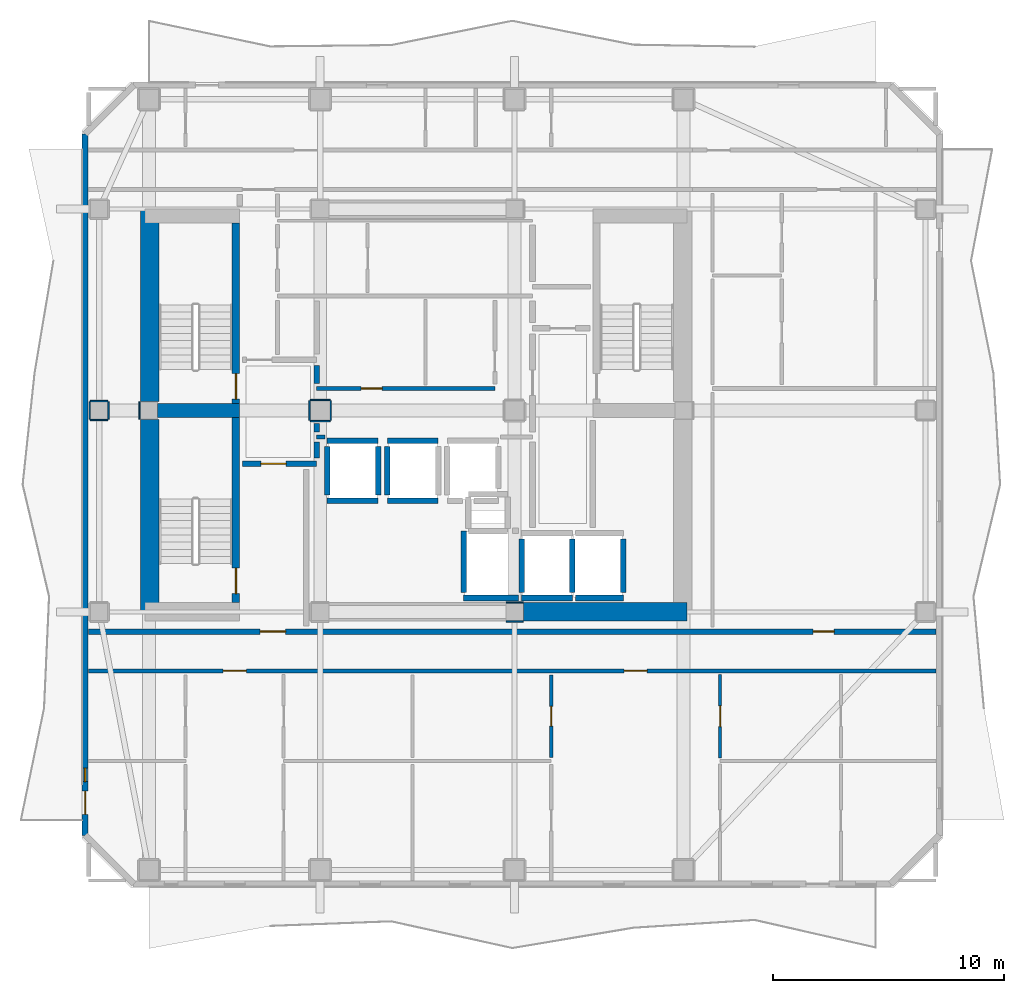
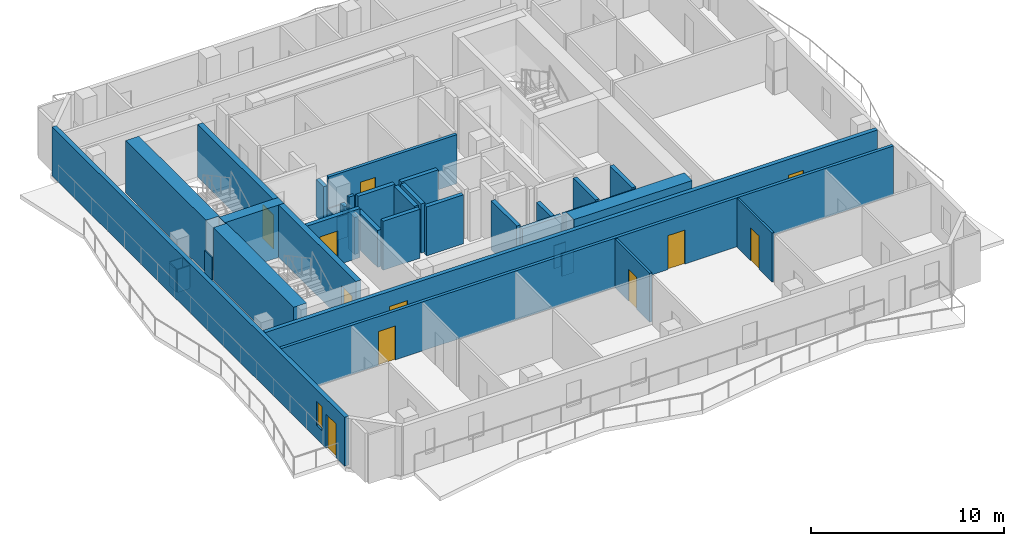
# One storey, part 3 of 9: 42 walls, 11 doors, 1 window, 12 openings.
"""IFC4 building model written with IfcOpenShell, lengths in metres."""

from ifc_helpers import new_model, si_unit, direction, frame, frame_2d, origin, place, context, subcontext, project, spatial, rectangle, extrude, material, layer, layer_set, type_object, element, fill, save


model = new_model("IFC4")

# Units and contexts
model_context = context("Model", 3, precision=1e-05, world=origin(), true_north=direction((0.0, 1.0)))
body_context = subcontext(model_context, "Body", "Model", "MODEL_VIEW")
ifc_project = project(units=[si_unit("LENGTHUNIT", "METRE"), si_unit("AREAUNIT", "SQUARE_METRE"), si_unit("VOLUMEUNIT", "CUBIC_METRE"), si_unit("PLANEANGLEUNIT", "RADIAN"), si_unit("MASSUNIT", "GRAM", prefix="KILO")], contexts=[model_context])

# Site, building, storey
site_placement = place(None, origin())
site = spatial("IfcSite", under=ifc_project, at=site_placement, CompositionType="ELEMENT")
building_placement = place(site_placement, origin())
building = spatial("IfcBuilding", under=site, at=building_placement, Name="Solanera Arch Residences", CompositionType="ELEMENT")
storey_placement = place(building_placement, frame((0.0, 0.0, 220.0400390625)))
storey = spatial("IfcBuildingStorey", under=building, at=storey_placement, Name="L64", CompositionType="ELEMENT", Elevation=220.0400390625)

# Walls
ifc_material_1 = material(Name="Fire-Rated Gypsum Stud Partition", Category="gypsum")
ifc_layer_1 = layer(ifc_material_1, 0.06005859375)
ifc_layer_set_1 = layer_set([ifc_layer_1], Name="Fire-Rated Gypsum Stud Partition")
wall_type_1 = type_object("IfcWallType", Name="Column Acoustic Furring Wall 60", PredefinedType="PARTITIONING", material=ifc_layer_set_1)
for number, where, z_axis, x_axis, name in (
    (1, (28.8330078125, 21.593017578125, 0.0), (0.0, 0.0, 1.0), (1.0, 0.0, 0.0), "L64 Column Furring 2S"),
    (2, (28.8330078125, 22.406982421875, 0.0), (0.0, 0.0, 1.0), (1.0, 0.0, 0.0), "L64 Column Furring 2N"),
):
    element("IfcWall", number, at=place(storey_placement, frame(where, z_axis=z_axis, x_axis=x_axis)), inside=storey, type_object=wall_type_1, Name=name, PredefinedType="PARTITIONING", context=body_context, shape_type="SweptSolid", body=[
        extrude(rectangle(XDim=0.73388671875, YDim=0.06005859375, at=frame_2d((0.366943359375, 0.0))), origin(), (0.0, 0.0, 1.0), 1.449951171875),
    ])
wall_1_placement = place(storey_placement, frame((12.992919921875, 30.324951171875, 0.0), z_axis=(0.0, 0.0, 1.0), x_axis=(0.0, 1.0, 0.0)))
element("IfcWall", 3, at=wall_1_placement, inside=storey, type_object=wall_type_1, Name="L64 Column Furring 5W", PredefinedType="PARTITIONING", context=body_context, shape_type="SweptSolid", body=[
    extrude(rectangle(XDim=0.75, YDim=0.06005859375, at=frame_2d((0.375, 0.0))), origin(), (0.0, 0.0, 1.0), 1.449951171875),
])
for number, where, z_axis, x_axis, name in (
    (4, (20.375, 30.242919921875, 0.0), (0.0, 0.0, 1.0), (1.0, 0.0, 0.0), "L64 Column Furring 7S"),
    (5, (20.375, 31.156982421875, 0.0), (0.0, 0.0, 1.0), (1.0, 0.0, 0.0), "L64 Column Furring 7N"),
    (6, (20.343017578125, 30.27490234375, 0.0), (0.0, 0.0, 1.0), (0.0, 1.0, 0.0), "L64 Column Furring 7W"),
    (7, (21.257080078125, 30.27490234375, 0.0), (0.0, 0.0, 1.0), (0.0, 1.0, 0.0), "L64 Column Furring 7E"),
):
    element("IfcWall", number, at=place(storey_placement, frame(where, z_axis=z_axis, x_axis=x_axis)), inside=storey, type_object=wall_type_1, Name=name, PredefinedType="PARTITIONING", context=body_context, shape_type="SweptSolid", body=[
        extrude(rectangle(XDim=0.85009765625, YDim=0.06005859375, at=frame_2d((0.425048828125, 0.0))), origin(), (0.0, 0.0, 1.0), 1.449951171875),
    ])
for number, where, z_axis, x_axis, name in (
    (8, (10.875, 30.29296875, 0.0), (0.0, 0.0, 1.0), (1.0, 0.0, 0.0), "L64 Column Furring 19S"),
    (9, (10.875, 31.10693359375, 0.0), (0.0, 0.0, 1.0), (1.0, 0.0, 0.0), "L64 Column Furring 19N"),
    (10, (10.843017578125, 30.324951171875, 0.0), (0.0, 0.0, 1.0), (0.0, 1.0, 0.0), "L64 Column Furring 19W"),
    (11, (11.656982421875, 30.324951171875, 0.0), (0.0, 0.0, 1.0), (0.0, 1.0, 0.0), "L64 Column Furring 19E"),
):
    element("IfcWall", number, at=place(storey_placement, frame(where, z_axis=z_axis, x_axis=x_axis)), inside=storey, type_object=wall_type_1, Name=name, PredefinedType="PARTITIONING", context=body_context, shape_type="SweptSolid", body=[
        extrude(rectangle(XDim=0.75, YDim=0.06005859375, at=frame_2d((0.375, 0.0))), origin(), (0.0, 0.0, 1.0), 1.449951171875),
    ])

# Wall, opening, door
ifc_material_2 = material(Name="Concrete C40/50 (f'c = 45 MPa)", Category="concrete")
ifc_layer_2 = layer(ifc_material_2, 0.320068359375)
ifc_layer_set_2 = layer_set([ifc_layer_2], Name="Concrete C40/50 (f'c = 45 MPa)")
wall_type_2 = type_object("IfcWallType", Name="Core Shear Wall CW-320", PredefinedType="SHEAR", material=ifc_layer_set_2)
wall_2_placement = place(storey_placement, frame((17.159912109375, 31.0, 0.0), z_axis=(0.0, 0.0, 1.0), x_axis=(0.0, 1.0, 0.0)))
wall_2 = element("IfcWall", 12, at=wall_2_placement, inside=storey, type_object=wall_type_2, Name="L64 Stair ST-T1 East Shear Wall", PredefinedType="SHEAR", context=body_context, shape_type="SweptSolid", body=[
    extrude(rectangle(XDim=7.800048828125, YDim=0.320068359375, at=frame_2d((3.89990234375, 0.0))), origin(), (0.0, 0.0, 1.0), 3.320068359375),
])
opening_1_placement = place(wall_2_placement, frame((0.18994140625, 0.0, 0.0)))
opening_1 = element("IfcOpeningElement", 13, at=opening_1_placement, cuts=wall_2, Name="Opening DF-01", PredefinedType="OPENING", context=body_context, shape_type="SweptSolid", body=[
    extrude(rectangle(XDim=1.10009765625, YDim=2.14990234375, at=frame_2d((0.550048828125, 1.074951171875))), frame((0.0, 0.169921875, 0.0), z_axis=(0.0, -1.0, 0.0), x_axis=(1.0, 0.0, 0.0)), (0.0, 0.0, 1.0), 0.3401),
])
ifc_material_3 = material(Name="Fire-Rated Architectural Hardwood", Category="wood")
door_type_1 = type_object("IfcDoorType", Name="Stair Exit Fire Door DF-01", OperationType="NOTDEFINED", PredefinedType="DOOR", material=ifc_material_3)
door_1_placement = place(opening_1_placement, origin())
door_1 = element("IfcDoor", 14, at=door_1_placement, inside=storey, type_object=door_type_1, Name="DR-L64-STAIR-ST-T1", OperationType="SINGLE_SWING_RIGHT", OverallHeight=2.14990234375, OverallWidth=1.10009765625, PredefinedType="DOOR", context=body_context, shape_type="SweptSolid", body=[
    extrude(rectangle(XDim=1.10009765625, YDim=2.14990234375, at=frame_2d((0.550048828125, 1.074951171875))), frame((0.0, 0.02490234375, 0.0), z_axis=(0.0, -1.0, 0.0), x_axis=(1.0, 0.0, 0.0)), (0.0, 0.0, 1.0), 0.050048828125),
])
fill(opening_1, door_1)

wall_3_placement = place(storey_placement, frame((17.159912109375, 22.39990234375, 0.0), z_axis=(0.0, 0.0, 1.0), x_axis=(0.0, 1.0, 0.0)))
wall_3 = element("IfcWall", 15, at=wall_3_placement, inside=storey, type_object=wall_type_2, Name="L64 Stair ST-T3 East Shear Wall", PredefinedType="SHEAR", context=body_context, shape_type="SweptSolid", body=[
    extrude(rectangle(XDim=8.0, YDim=0.320068359375, at=frame_2d((4.0, 0.0))), origin(), (0.0, 0.0, 1.0), 3.320068359375),
])
opening_2_placement = place(wall_3_placement, frame((0.389892578125, 0.0, 0.0)))
opening_2 = element("IfcOpeningElement", 16, at=opening_2_placement, cuts=wall_3, Name="Opening DF-01", PredefinedType="OPENING", context=body_context, shape_type="SweptSolid", body=[
    extrude(rectangle(XDim=1.10009765625, YDim=2.14990234375, at=frame_2d((0.550048828125, 1.074951171875))), frame((0.0, 0.169921875, 0.0), z_axis=(0.0, -1.0, 0.0), x_axis=(1.0, 0.0, 0.0)), (0.0, 0.0, 1.0), 0.3401),
])
door_2_placement = place(opening_2_placement, origin())
door_2 = element("IfcDoor", 17, at=door_2_placement, inside=storey, type_object=door_type_1, Name="DR-L64-STAIR-ST-T3", OperationType="SINGLE_SWING_RIGHT", OverallHeight=2.14990234375, OverallWidth=1.10009765625, PredefinedType="DOOR", context=body_context, shape_type="SweptSolid", body=[
    extrude(rectangle(XDim=1.10009765625, YDim=2.14990234375, at=frame_2d((0.550048828125, 1.074951171875))), frame((0.0, 0.02490234375, 0.0), z_axis=(0.0, -1.0, 0.0), x_axis=(1.0, 0.0, 0.0)), (0.0, 0.0, 1.0), 0.050048828125),
])
fill(opening_2, door_2)

# Walls
ifc_material_4 = material(Name="Concrete C40/50 (f'c = 45 MPa)", Category="concrete")
ifc_layer_3 = layer(ifc_material_4, 0.60009765625)
ifc_layer_set_3 = layer_set([ifc_layer_3], Name="Concrete C40/50 (f'c = 45 MPa)")
wall_type_3 = type_object("IfcWallType", Name="Core Shear Wall CW-600", PredefinedType="SHEAR", material=ifc_layer_set_3)
wall_4_placement = place(storey_placement, frame((13.780029296875, 30.699951171875, 0.0), z_axis=(0.0, 0.0, 1.0), x_axis=(1.0, 0.0, 0.0)))
element("IfcWall", 18, at=wall_4_placement, inside=storey, type_object=wall_type_3, Name="L64 West Stair Divider Shear Wall", PredefinedType="SHEAR", context=body_context, shape_type="SweptSolid", body=[
    extrude(rectangle(XDim=3.5400390625, YDim=0.60009765625, at=frame_2d((1.77001953125, 0.0))), origin(), (0.0, 0.0, 1.0), 3.320068359375),
])
ifc_material_5 = material(Name="Concrete C40/50 (f'c = 45 MPa)", Category="concrete")
ifc_layer_4 = layer(ifc_material_5, 0.800048828125)
ifc_layer_set_4 = layer_set([ifc_layer_4], Name="Concrete C40/50 (f'c = 45 MPa)")
wall_type_4 = type_object("IfcWallType", Name="Core Shear Wall CW-800", PredefinedType="SHEAR", material=ifc_layer_set_4)
wall_5_placement = place(storey_placement, frame((13.43994140625, 22.0, 0.0), z_axis=(0.0, 0.0, 1.0), x_axis=(0.0, 1.0, 0.0)))
element("IfcWall", 19, at=wall_5_placement, inside=storey, type_object=wall_type_4, Name="L64 West Core South Shear Wall", PredefinedType="SHEAR", context=body_context, shape_type="SweptSolid", body=[
    extrude(rectangle(XDim=8.320068359375, YDim=0.800048828125, at=frame_2d((4.16015625, 0.0))), origin(), (0.0, 0.0, 1.0), 3.320068359375),
])
wall_6_placement = place(storey_placement, frame((13.43994140625, 31.080078125, 0.0), z_axis=(0.0, 0.0, 1.0), x_axis=(0.0, 1.0, 0.0)))
element("IfcWall", 20, at=wall_6_placement, inside=storey, type_object=wall_type_4, Name="L64 West Core North Shear Wall", PredefinedType="SHEAR", context=body_context, shape_type="SweptSolid", body=[
    extrude(rectangle(XDim=8.31982421875, YDim=0.800048828125, at=frame_2d((4.159912109375, 0.0))), origin(), (0.0, 0.0, 1.0), 3.320068359375),
])
wall_7_placement = place(storey_placement, frame((29.580078125, 22.0, 0.0), z_axis=(0.0, 0.0, 1.0), x_axis=(1.0, 0.0, 0.0)))
element("IfcWall", 21, at=wall_7_placement, inside=storey, type_object=wall_type_4, Name="L64 South-East Core Shear Wall", PredefinedType="SHEAR", context=body_context, shape_type="SweptSolid", body=[
    extrude(rectangle(XDim=7.079833984375, YDim=0.800048828125, at=frame_2d((3.5400390625, 0.0))), origin(), (0.0, 0.0, 1.0), 3.320068359375),
])

# Wall, openings, doors
ifc_material_6 = material(Name="Autoclaved Aerated Concrete Blockwork", Category="masonry")
ifc_layer_5 = layer(ifc_material_6, 0.179931640625)
ifc_layer_set_5 = layer_set([ifc_layer_5], Name="Autoclaved Aerated Concrete Blockwork")
wall_type_5 = type_object("IfcWallType", Name="Corridor Fire Partition 180", PredefinedType="PARTITIONING", material=ifc_layer_set_5)
wall_8_placement = place(storey_placement, frame((10.787109375, 19.449951171875, 0.0), z_axis=(0.0, 0.0, 1.0), x_axis=(1.0, 0.0, 0.0)))
wall_8 = element("IfcWall", 22, at=wall_8_placement, inside=storey, type_object=wall_type_5, Name="L64 Interior Partition H6", PredefinedType="PARTITIONING", context=body_context, shape_type="SweptSolid", body=[
    extrude(rectangle(XDim=36.6259765625, YDim=0.179931640625, at=frame_2d((18.31298828125, 0.0))), origin(), (0.0, 0.0, 1.0), 3.099853515625),
])
opening_3_placement = place(wall_8_placement, frame((5.820068359375, 0.0, 0.0)))
opening_3 = element("IfcOpeningElement", 23, at=opening_3_placement, cuts=wall_8, Name="Opening DI-01", PredefinedType="OPENING", context=body_context, shape_type="SweptSolid", body=[
    extrude(rectangle(XDim=1.0, YDim=2.14990234375, at=frame_2d((0.5, 1.074951171875))), frame((0.0, 0.10009765625, 0.0), z_axis=(0.0, -1.0, 0.0), x_axis=(1.0, 0.0, 0.0)), (0.0, 0.0, 1.0), 0.1999),
])
opening_4_placement = place(wall_8_placement, frame((23.14306640625, 0.0, 0.0)))
opening_4 = element("IfcOpeningElement", 24, at=opening_4_placement, cuts=wall_8, Name="Opening DI-01", PredefinedType="OPENING", context=body_context, shape_type="SweptSolid", body=[
    extrude(rectangle(XDim=1.0, YDim=2.14990234375, at=frame_2d((0.5, 1.074951171875))), frame((0.0, 0.10009765625, 0.0), z_axis=(0.0, -1.0, 0.0), x_axis=(1.0, 0.0, 0.0)), (0.0, 0.0, 1.0), 0.1999),
])
ifc_material_7 = material(Name="Fire-Rated Architectural Hardwood", Category="wood")
door_type_2 = type_object("IfcDoorType", Name="Unit Entrance Fire Door DI-01", OperationType="NOTDEFINED", PredefinedType="DOOR", material=ifc_material_7)
door_3_placement = place(opening_3_placement, origin())
door_3 = element("IfcDoor", 25, at=door_3_placement, inside=storey, type_object=door_type_2, Name="DR-L64-IN-014", OperationType="SINGLE_SWING_LEFT", OverallHeight=2.14990234375, OverallWidth=1.0, PredefinedType="DOOR", context=body_context, shape_type="SweptSolid", body=[
    extrude(rectangle(XDim=1.0, YDim=2.14990234375, at=frame_2d((0.5, 1.074951171875))), frame((0.0, 0.02490234375, 0.0), z_axis=(0.0, -1.0, 0.0), x_axis=(1.0, 0.0, 0.0)), (0.0, 0.0, 1.0), 0.050048828125),
])
fill(opening_3, door_3)
door_4_placement = place(opening_4_placement, origin())
door_4 = element("IfcDoor", 26, at=door_4_placement, inside=storey, type_object=door_type_2, Name="DR-L64-IN-019", OperationType="SINGLE_SWING_RIGHT", OverallHeight=2.14990234375, OverallWidth=1.0, PredefinedType="DOOR", context=body_context, shape_type="SweptSolid", body=[
    extrude(rectangle(XDim=1.0, YDim=2.14990234375, at=frame_2d((0.5, 1.074951171875))), frame((0.0, 0.02490234375, 0.0), z_axis=(0.0, -1.0, 0.0), x_axis=(1.0, 0.0, 0.0)), (0.0, 0.0, 1.0), 0.050048828125),
])
fill(opening_4, door_4)

# Wall
wall_9_placement = place(storey_placement, frame((20.64990234375, 29.550048828125, 0.0), z_axis=(0.0, 0.0, 1.0), x_axis=(1.0, 0.0, 0.0)))
element("IfcWall", 27, at=wall_9_placement, inside=storey, type_object=wall_type_5, Name="L64 Interior Partition H7 1", PredefinedType="PARTITIONING", context=body_context, shape_type="SweptSolid", body=[
    extrude(rectangle(XDim=0.357177734375, YDim=0.179931640625, at=frame_2d((0.1787109375, 0.0))), origin(), (0.0, 0.0, 1.0), 3.099853515625),
])

# Wall, opening, door
wall_10_placement = place(storey_placement, frame((20.64990234375, 31.64990234375, 0.0), z_axis=(0.0, 0.0, 1.0), x_axis=(1.0, 0.0, 0.0)))
wall_10 = element("IfcWall", 28, at=wall_10_placement, inside=storey, type_object=wall_type_5, Name="L64 Interior Partition H8", PredefinedType="PARTITIONING", context=body_context, shape_type="SweptSolid", body=[
    extrude(rectangle(XDim=7.7001953125, YDim=0.179931640625, at=frame_2d((3.85009765625, 0.0))), origin(), (0.0, 0.0, 1.0), 3.099853515625),
])
opening_5_placement = place(wall_10_placement, frame((1.924072265625, 0.0, 0.0)))
opening_5 = element("IfcOpeningElement", 29, at=opening_5_placement, cuts=wall_10, Name="Opening DI-02", PredefinedType="OPENING", context=body_context, shape_type="SweptSolid", body=[
    extrude(rectangle(XDim=0.89990234375, YDim=2.10009765625, at=frame_2d((0.449951171875, 1.050048828125))), frame((0.0, 0.10009765625, 0.0), z_axis=(0.0, -1.0, 0.0), x_axis=(1.0, 0.0, 0.0)), (0.0, 0.0, 1.0), 0.1999),
])
ifc_material_8 = material(Name="Fire-Rated Architectural Hardwood", Category="wood")
door_type_3 = type_object("IfcDoorType", Name="Suite Room Swing Door DI-02", OperationType="NOTDEFINED", PredefinedType="DOOR", material=ifc_material_8)
door_5_placement = place(opening_5_placement, origin())
door_5 = element("IfcDoor", 30, at=door_5_placement, inside=storey, type_object=door_type_3, Name="DR-L64-IN-012", OperationType="SINGLE_SWING_LEFT", OverallHeight=2.10009765625, OverallWidth=0.89990234375, PredefinedType="DOOR", context=body_context, shape_type="SweptSolid", body=[
    extrude(rectangle(XDim=0.89990234375, YDim=2.10009765625, at=frame_2d((0.449951171875, 1.050048828125))), frame((0.0, 0.02490234375, 0.0), z_axis=(0.0, -1.0, 0.0), x_axis=(1.0, 0.0, 0.0)), (0.0, 0.0, 1.0), 0.050048828125),
])
fill(opening_5, door_5)

# Wall, openings, door, window
ifc_material_9 = material(Name="Precast Concrete C35/45", Category="concrete")
ifc_layer_6 = layer(ifc_material_9, 0.260009765625)
ifc_layer_set_6 = layer_set([ifc_layer_6], Name="Precast Concrete C35/45")
wall_type_6 = type_object("IfcWallType", Name="Exterior Wall Precast Masonry-Frame 260", PredefinedType="STANDARD", material=ifc_layer_set_6)
wall_11_placement = place(storey_placement, frame((10.64501953125, 12.344970703125, 0.0), z_axis=(0.0, 0.0, 1.0), x_axis=(0.0, 1.0, 0.0)))
wall_11 = element("IfcWall", 31, at=wall_11_placement, inside=storey, type_object=wall_type_6, Name="L64 Tower Exterior Precast Masonry-Frame Wall W", PredefinedType="STANDARD", context=body_context, shape_type="SweptSolid", body=[
    extrude(rectangle(XDim=30.31005859375, YDim=0.260009765625, at=frame_2d((15.155029296875, 0.0))), origin(), (0.0, 0.0, 1.0), 3.099853515625),
])
opening_6_placement = place(wall_11_placement, frame((0.909912109375, 0.0, 0.0)))
opening_6 = element("IfcOpeningElement", 32, at=opening_6_placement, cuts=wall_11, Name="Opening DB-01", PredefinedType="OPENING", context=body_context, shape_type="SweptSolid", body=[
    extrude(rectangle(XDim=1.0, YDim=2.14990234375, at=frame_2d((0.5, 1.074951171875))), frame((0.0, 0.139892578125, 0.0), z_axis=(0.0, -1.0, 0.0), x_axis=(1.0, 0.0, 0.0)), (0.0, 0.0, 1.0), 0.28),
])
opening_7_placement = place(wall_11_placement, frame((2.322021484375, 0.0, 0.85009765625)))
opening_7 = element("IfcOpeningElement", 33, at=opening_7_placement, cuts=wall_11, Name="Opening W-14", PredefinedType="OPENING", context=body_context, shape_type="SweptSolid", body=[
    extrude(rectangle(XDim=0.580078125, YDim=1.5, at=frame_2d((0.2900390625, 0.75))), frame((0.0, 0.139892578125, 0.0), z_axis=(0.0, -1.0, 0.0), x_axis=(1.0, 0.0, 0.0)), (0.0, 0.0, 1.0), 0.28),
])
ifc_material_10 = material(Name="Anodised Aluminium Alloy 6063-T6", Category="aluminium")
door_type_4 = type_object("IfcDoorType", Name="Glazed Balcony Swing Door DB-01", OperationType="NOTDEFINED", PredefinedType="DOOR", material=ifc_material_10)
door_6_placement = place(opening_6_placement, origin())
door_6 = element("IfcDoor", 34, at=door_6_placement, inside=storey, type_object=door_type_4, Name="DR-L64-OUT-04", OperationType="SINGLE_SWING_LEFT", OverallHeight=2.14990234375, OverallWidth=1.0, PredefinedType="DOOR", context=body_context, shape_type="SweptSolid", body=[
    extrude(rectangle(XDim=1.0, YDim=2.14990234375, at=frame_2d((0.5, 1.074951171875))), frame((0.0, 0.02490234375, 0.0), z_axis=(0.0, -1.0, 0.0), x_axis=(1.0, 0.0, 0.0)), (0.0, 0.0, 1.0), 0.050048828125),
])
fill(opening_6, door_6)
ifc_material_11 = material(Name="Double Glazed Low-E Laminated Glass", Category="glass")
window_type = type_object("IfcWindowType", Name="Punched Window W-14", PartitioningType="SINGLE_PANEL", PredefinedType="WINDOW", material=ifc_material_11)
window_placement = place(opening_7_placement, origin())
window = element("IfcWindow", 35, at=window_placement, inside=storey, type_object=window_type, Name="L64 6401-BR1 Punched Window", OverallHeight=1.5, OverallWidth=0.580078125, PartitioningType="SINGLE_PANEL", PredefinedType="WINDOW", context=body_context, shape_type="SweptSolid", body=[
    extrude(rectangle(XDim=0.580078125, YDim=1.5, at=frame_2d((0.2900390625, 0.75))), frame((0.0, 0.030029296875, 0.0), z_axis=(0.0, -1.0, 0.0), x_axis=(1.0, 0.0, 0.0)), (0.0, 0.0, 1.0), 0.06005859375),
])
fill(opening_7, window)

# Walls
ifc_material_12 = material(Name="Autoclaved Aerated Concrete Blockwork", Category="masonry")
ifc_layer_7 = layer(ifc_material_12, 0.239990234375)
ifc_layer_set_7 = layer_set([ifc_layer_7], Name="Autoclaved Aerated Concrete Blockwork")
wall_type_7 = type_object("IfcWallType", Name="Shaft Wall Fire-Rated 240", PredefinedType="PARTITIONING", material=ifc_layer_set_7)
for number, where, z_axis, x_axis, name in (
    (36, (21.10009765625, 26.800048828125, 0.0), (0.0, 0.0, 1.0), (1.0, 0.0, 0.0), "L64 Lift PL-H1 Hoistway Wall S"),
    (37, (21.10009765625, 29.39990234375, 0.0), (0.0, 0.0, 1.0), (1.0, 0.0, 0.0), "L64 Lift PL-H1 Hoistway Wall N"),
):
    element("IfcWall", number, at=place(storey_placement, frame(where, z_axis=z_axis, x_axis=x_axis)), inside=storey, type_object=wall_type_7, Name=name, PredefinedType="PARTITIONING", context=body_context, shape_type="SweptSolid", body=[
        extrude(rectangle(XDim=2.199951171875, YDim=0.239990234375, at=frame_2d((1.10009765625, 0.0))), origin(), (0.0, 0.0, 1.0), 3.099853515625),
    ])
wall_12_placement = place(storey_placement, frame((21.10009765625, 27.048095703125, 0.0), z_axis=(0.0, 0.0, 1.0), x_axis=(0.0, 1.0, 0.0)))
element("IfcWall", 38, at=wall_12_placement, inside=storey, type_object=wall_type_7, Name="L64 Lift PL-H1 Hoistway Wall W", PredefinedType="PARTITIONING", context=body_context, shape_type="SweptSolid", body=[
    extrude(rectangle(XDim=2.10400390625, YDim=0.239990234375, at=frame_2d((1.052001953125, 0.0))), origin(), (0.0, 0.0, 1.0), 2.3349609375),
])
wall_13_placement = place(storey_placement, frame((23.300048828125, 27.048095703125, 0.0), z_axis=(0.0, 0.0, 1.0), x_axis=(0.0, 1.0, 0.0)))
element("IfcWall", 39, at=wall_13_placement, inside=storey, type_object=wall_type_7, Name="L64 Lift PL-H1 Hoistway Wall E", PredefinedType="PARTITIONING", context=body_context, shape_type="SweptSolid", body=[
    extrude(rectangle(XDim=2.10400390625, YDim=0.239990234375, at=frame_2d((1.052001953125, 0.0))), origin(), (0.0, 0.0, 1.0), 3.099853515625),
])
for number, where, z_axis, x_axis, name in (
    (40, (23.699951171875, 26.800048828125, 0.0), (0.0, 0.0, 1.0), (1.0, 0.0, 0.0), "L64 Lift PL-H2 Hoistway Wall S"),
    (41, (23.699951171875, 29.39990234375, 0.0), (0.0, 0.0, 1.0), (1.0, 0.0, 0.0), "L64 Lift PL-H2 Hoistway Wall N"),
):
    element("IfcWall", number, at=place(storey_placement, frame(where, z_axis=z_axis, x_axis=x_axis)), inside=storey, type_object=wall_type_7, Name=name, PredefinedType="PARTITIONING", context=body_context, shape_type="SweptSolid", body=[
        extrude(rectangle(XDim=2.199951171875, YDim=0.239990234375, at=frame_2d((1.10009765625, 0.0))), origin(), (0.0, 0.0, 1.0), 3.099853515625),
    ])
wall_14_placement = place(storey_placement, frame((23.699951171875, 27.048095703125, 0.0), z_axis=(0.0, 0.0, 1.0), x_axis=(0.0, 1.0, 0.0)))
element("IfcWall", 42, at=wall_14_placement, inside=storey, type_object=wall_type_7, Name="L64 Lift PL-H2 Hoistway Wall W", PredefinedType="PARTITIONING", context=body_context, shape_type="SweptSolid", body=[
    extrude(rectangle(XDim=2.10400390625, YDim=0.239990234375, at=frame_2d((1.052001953125, 0.0))), origin(), (0.0, 0.0, 1.0), 3.099853515625),
])
wall_15_placement = place(storey_placement, frame((29.5, 22.60009765625, 0.0), z_axis=(0.0, 0.0, 1.0), x_axis=(1.0, 0.0, 0.0)))
element("IfcWall", 43, at=wall_15_placement, inside=storey, type_object=wall_type_7, Name="L64 Lift FFL-1 Hoistway Wall S", PredefinedType="PARTITIONING", context=body_context, shape_type="SweptSolid", body=[
    extrude(rectangle(XDim=2.199951171875, YDim=0.239990234375, at=frame_2d((1.10009765625, 0.0))), origin(), (0.0, 0.0, 1.0), 3.099853515625),
])
wall_16_placement = place(storey_placement, frame((29.5, 22.847900390625, 0.0), z_axis=(0.0, 0.0, 1.0), x_axis=(0.0, 1.0, 0.0)))
element("IfcWall", 44, at=wall_16_placement, inside=storey, type_object=wall_type_7, Name="L64 Lift FFL-1 Hoistway Wall W", PredefinedType="PARTITIONING", context=body_context, shape_type="SweptSolid", body=[
    extrude(rectangle(XDim=2.30419921875, YDim=0.239990234375, at=frame_2d((1.152099609375, 0.0))), origin(), (0.0, 0.0, 1.0), 2.3349609375),
])
wall_17_placement = place(storey_placement, frame((31.699951171875, 22.847900390625, 0.0), z_axis=(0.0, 0.0, 1.0), x_axis=(0.0, 1.0, 0.0)))
element("IfcWall", 45, at=wall_17_placement, inside=storey, type_object=wall_type_7, Name="L64 Lift FFL-1 Hoistway Wall E", PredefinedType="PARTITIONING", context=body_context, shape_type="SweptSolid", body=[
    extrude(rectangle(XDim=2.30419921875, YDim=0.239990234375, at=frame_2d((1.152099609375, 0.0))), origin(), (0.0, 0.0, 1.0), 3.099853515625),
])
wall_18_placement = place(storey_placement, frame((31.827880859375, 22.60009765625, 0.0), z_axis=(0.0, 0.0, 1.0), x_axis=(1.0, 0.0, 0.0)))
element("IfcWall", 46, at=wall_18_placement, inside=storey, type_object=wall_type_7, Name="L64 Lift FFL-2 Hoistway Wall S", PredefinedType="PARTITIONING", context=body_context, shape_type="SweptSolid", body=[
    extrude(rectangle(XDim=2.072021484375, YDim=0.239990234375, at=frame_2d((1.0361328125, 0.0))), origin(), (0.0, 0.0, 1.0), 3.099853515625),
])
wall_19_placement = place(storey_placement, frame((33.89990234375, 22.847900390625, 0.0), z_axis=(0.0, 0.0, 1.0), x_axis=(0.0, 1.0, 0.0)))
element("IfcWall", 47, at=wall_19_placement, inside=storey, type_object=wall_type_7, Name="L64 Lift FFL-2 Hoistway Wall E", PredefinedType="PARTITIONING", context=body_context, shape_type="SweptSolid", body=[
    extrude(rectangle(XDim=2.30419921875, YDim=0.239990234375, at=frame_2d((1.152099609375, 0.0))), origin(), (0.0, 0.0, 1.0), 3.099853515625),
])
wall_20_placement = place(storey_placement, frame((27.0, 22.60009765625, 0.0), z_axis=(0.0, 0.0, 1.0), x_axis=(1.0, 0.0, 0.0)))
element("IfcWall", 48, at=wall_20_placement, inside=storey, type_object=wall_type_7, Name="L64 Lift SVL-1 Hoistway Wall S", PredefinedType="PARTITIONING", context=body_context, shape_type="SweptSolid", body=[
    extrude(rectangle(XDim=2.3720703125, YDim=0.239990234375, at=frame_2d((1.18603515625, 0.0))), origin(), (0.0, 0.0, 1.0), 3.099853515625),
])
wall_21_placement = place(storey_placement, frame((27.0, 22.847900390625, 0.0), z_axis=(0.0, 0.0, 1.0), x_axis=(0.0, 1.0, 0.0)))
element("IfcWall", 49, at=wall_21_placement, inside=storey, type_object=wall_type_7, Name="L64 Lift SVL-1 Hoistway Wall W", PredefinedType="PARTITIONING", context=body_context, shape_type="SweptSolid", body=[
    extrude(rectangle(XDim=2.650146484375, YDim=0.239990234375, at=frame_2d((1.3251953125, 0.0))), origin(), (0.0, 0.0, 1.0), 3.099853515625),
])

# Wall, openings, doors
wall_22_placement = place(storey_placement, frame((10.787109375, 21.14990234375, 0.0), z_axis=(0.0, 0.0, 1.0), x_axis=(1.0, 0.0, 0.0)))
wall_22 = element("IfcWall", 50, at=wall_22_placement, inside=storey, type_object=wall_type_7, Name="L64 Interior Partition H1", PredefinedType="PARTITIONING", context=body_context, shape_type="SweptSolid", body=[
    extrude(rectangle(XDim=36.6259765625, YDim=0.239990234375, at=frame_2d((18.31298828125, 0.0))), origin(), (0.0, 0.0, 1.0), 3.099853515625),
])
opening_8_placement = place(wall_22_placement, frame((7.423095703125, 0.0, 0.0)))
opening_8 = element("IfcOpeningElement", 51, at=opening_8_placement, cuts=wall_22, Name="Opening DF-02", PredefinedType="OPENING", context=body_context, shape_type="SweptSolid", body=[
    extrude(rectangle(XDim=1.10009765625, YDim=2.14990234375, at=frame_2d((0.550048828125, 1.074951171875))), frame((0.0, 0.1298828125, 0.0), z_axis=(0.0, -1.0, 0.0), x_axis=(1.0, 0.0, 0.0)), (0.0, 0.0, 1.0), 0.26),
])
opening_9_placement = place(wall_22_placement, frame((31.31396484375, 0.0, 0.0)))
opening_9 = element("IfcOpeningElement", 52, at=opening_9_placement, cuts=wall_22, Name="Opening DI-02", PredefinedType="OPENING", context=body_context, shape_type="SweptSolid", body=[
    extrude(rectangle(XDim=0.89990234375, YDim=2.10009765625, at=frame_2d((0.449951171875, 1.050048828125))), frame((0.0, 0.1298828125, 0.0), z_axis=(0.0, -1.0, 0.0), x_axis=(1.0, 0.0, 0.0)), (0.0, 0.0, 1.0), 0.26),
])
ifc_material_13 = material(Name="Fire-Rated Architectural Hardwood", Category="wood")
door_type_5 = type_object("IfcDoorType", Name="Firefighting Lobby Fire Door DF-02", OperationType="NOTDEFINED", PredefinedType="DOOR", material=ifc_material_13)
door_7_placement = place(opening_8_placement, origin())
door_7 = element("IfcDoor", 53, at=door_7_placement, inside=storey, type_object=door_type_5, Name="DR-L64-IN-008", OperationType="SINGLE_SWING_LEFT", OverallHeight=2.14990234375, OverallWidth=1.10009765625, PredefinedType="DOOR", context=body_context, shape_type="SweptSolid", body=[
    extrude(rectangle(XDim=1.10009765625, YDim=2.14990234375, at=frame_2d((0.550048828125, 1.074951171875))), frame((0.0, 0.02490234375, 0.0), z_axis=(0.0, -1.0, 0.0), x_axis=(1.0, 0.0, 0.0)), (0.0, 0.0, 1.0), 0.050048828125),
])
fill(opening_8, door_7)
door_8_placement = place(opening_9_placement, origin())
door_8 = element("IfcDoor", 54, at=door_8_placement, inside=storey, type_object=door_type_3, Name="DR-L64-IN-032", OperationType="SINGLE_SWING_LEFT", OverallHeight=2.10009765625, OverallWidth=0.89990234375, PredefinedType="DOOR", context=body_context, shape_type="SweptSolid", body=[
    extrude(rectangle(XDim=0.89990234375, YDim=2.10009765625, at=frame_2d((0.449951171875, 1.050048828125))), frame((0.0, 0.02490234375, 0.0), z_axis=(0.0, -1.0, 0.0), x_axis=(1.0, 0.0, 0.0)), (0.0, 0.0, 1.0), 0.050048828125),
])
fill(opening_9, door_8)

# Wall, opening, door
wall_23_placement = place(storey_placement, frame((17.449951171875, 28.39990234375, 0.0), z_axis=(0.0, 0.0, 1.0), x_axis=(1.0, 0.0, 0.0)))
wall_23 = element("IfcWall", 55, at=wall_23_placement, inside=storey, type_object=wall_type_7, Name="L64 Interior Partition H3", PredefinedType="PARTITIONING", context=body_context, shape_type="SweptSolid", body=[
    extrude(rectangle(XDim=3.199951171875, YDim=0.239990234375, at=frame_2d((1.60009765625, 0.0))), origin(), (0.0, 0.0, 1.0), 3.099853515625),
])
opening_10_placement = place(wall_23_placement, frame((0.783935546875, 0.0, 0.0)))
opening_10 = element("IfcOpeningElement", 56, at=opening_10_placement, cuts=wall_23, Name="Opening DF-02", PredefinedType="OPENING", context=body_context, shape_type="SweptSolid", body=[
    extrude(rectangle(XDim=1.10009765625, YDim=2.14990234375, at=frame_2d((0.550048828125, 1.074951171875))), frame((0.0, 0.1298828125, 0.0), z_axis=(0.0, -1.0, 0.0), x_axis=(1.0, 0.0, 0.0)), (0.0, 0.0, 1.0), 0.26),
])
door_9_placement = place(opening_10_placement, origin())
door_9 = element("IfcDoor", 57, at=door_9_placement, inside=storey, type_object=door_type_5, Name="DR-L64-IN-004", OperationType="SINGLE_SWING_LEFT", OverallHeight=2.14990234375, OverallWidth=1.10009765625, PredefinedType="DOOR", context=body_context, shape_type="SweptSolid", body=[
    extrude(rectangle(XDim=1.10009765625, YDim=2.14990234375, at=frame_2d((0.550048828125, 1.074951171875))), frame((0.0, 0.02490234375, 0.0), z_axis=(0.0, -1.0, 0.0), x_axis=(1.0, 0.0, 0.0)), (0.0, 0.0, 1.0), 0.050048828125),
])
fill(opening_10, door_9)

# Walls
wall_24_placement = place(storey_placement, frame((20.64990234375, 28.64794921875, 0.0), z_axis=(0.0, 0.0, 1.0), x_axis=(0.0, 1.0, 0.0)))
element("IfcWall", 58, at=wall_24_placement, inside=storey, type_object=wall_type_7, Name="L64 Interior Partition V3 1", PredefinedType="PARTITIONING", context=body_context, shape_type="SweptSolid", body=[
    extrude(rectangle(XDim=0.68408203125, YDim=0.239990234375, at=frame_2d((0.342041015625, 0.0))), origin(), (0.0, 0.0, 1.0), 2.3349609375),
])
wall_25_placement = place(storey_placement, frame((20.64990234375, 29.76806640625, 0.0), z_axis=(0.0, 0.0, 1.0), x_axis=(0.0, 1.0, 0.0)))
element("IfcWall", 59, at=wall_25_placement, inside=storey, type_object=wall_type_7, Name="L64 Interior Partition V3 2", PredefinedType="PARTITIONING", context=body_context, shape_type="SweptSolid", body=[
    extrude(rectangle(XDim=0.375, YDim=0.239990234375, at=frame_2d((0.1875, 0.0))), origin(), (0.0, 0.0, 1.0), 2.3349609375),
])
wall_26_placement = place(storey_placement, frame((20.64990234375, 31.867919921875, 0.0), z_axis=(0.0, 0.0, 1.0), x_axis=(0.0, 1.0, 0.0)))
element("IfcWall", 60, at=wall_26_placement, inside=storey, type_object=wall_type_7, Name="L64 Interior Partition V3 3", PredefinedType="PARTITIONING", context=body_context, shape_type="SweptSolid", body=[
    extrude(rectangle(XDim=0.7841796875, YDim=0.239990234375, at=frame_2d((0.39208984375, 0.0))), origin(), (0.0, 0.0, 1.0), 2.3349609375),
])

# Wall, opening, door
ifc_material_14 = material(Name="Fire-Rated Gypsum Stud Partition", Category="gypsum")
ifc_layer_8 = layer(ifc_material_14, 0.1201171875)
ifc_layer_set_8 = layer_set([ifc_layer_8], Name="Fire-Rated Gypsum Stud Partition")
wall_type_8 = type_object("IfcWallType", Name="Unit Drywall Partition 120", PredefinedType="PARTITIONING", material=ifc_layer_set_8)
wall_27_placement = place(storey_placement, frame((38.080078125, 15.697021484375, 0.0), z_axis=(0.0, 0.0, 1.0), x_axis=(0.0, 1.0, 0.0)))
wall_27 = element("IfcWall", 61, at=wall_27_placement, inside=storey, type_object=wall_type_8, Name="L64 Interior Partition V23 2", PredefinedType="PARTITIONING", context=body_context, shape_type="SweptSolid", body=[
    extrude(rectangle(XDim=3.594970703125, YDim=0.1201171875, at=frame_2d((1.79736328125, 0.0))), origin(), (0.0, 0.0, 1.0), 3.099853515625),
])
opening_11_placement = place(wall_27_placement, frame((1.344970703125, 0.0, 0.0)))
opening_11 = element("IfcOpeningElement", 62, at=opening_11_placement, cuts=wall_27, Name="Opening DI-02", PredefinedType="OPENING", context=body_context, shape_type="SweptSolid", body=[
    extrude(rectangle(XDim=0.89990234375, YDim=2.10009765625, at=frame_2d((0.449951171875, 1.050048828125))), frame((0.0, 0.070068359375, 0.0), z_axis=(0.0, -1.0, 0.0), x_axis=(1.0, 0.0, 0.0)), (0.0, 0.0, 1.0), 0.1401),
])
door_10_placement = place(opening_11_placement, origin())
door_10 = element("IfcDoor", 63, at=door_10_placement, inside=storey, type_object=door_type_3, Name="DR-L64-IN-022", OperationType="SINGLE_SWING_LEFT", OverallHeight=2.10009765625, OverallWidth=0.89990234375, PredefinedType="DOOR", context=body_context, shape_type="SweptSolid", body=[
    extrude(rectangle(XDim=0.89990234375, YDim=2.10009765625, at=frame_2d((0.449951171875, 1.050048828125))), frame((0.0, 0.02490234375, 0.0), z_axis=(0.0, -1.0, 0.0), x_axis=(1.0, 0.0, 0.0)), (0.0, 0.0, 1.0), 0.050048828125),
])
fill(opening_11, door_10)

ifc_material_15 = material(Name="Autoclaved Aerated Concrete Blockwork", Category="masonry")
ifc_layer_9 = layer(ifc_material_15, 0.139892578125)
ifc_layer_set_9 = layer_set([ifc_layer_9], Name="Autoclaved Aerated Concrete Blockwork")
wall_type_9 = type_object("IfcWallType", Name="Wet-Room Partition 140", PredefinedType="PARTITIONING", material=ifc_layer_set_9)
wall_28_placement = place(storey_placement, frame((30.780029296875, 15.70703125, 0.0), z_axis=(0.0, 0.0, 1.0), x_axis=(0.0, 1.0, 0.0)))
wall_28 = element("IfcWall", 64, at=wall_28_placement, inside=storey, type_object=wall_type_9, Name="L64 Interior Partition V15 2", PredefinedType="PARTITIONING", context=body_context, shape_type="SweptSolid", body=[
    extrude(rectangle(XDim=3.574951171875, YDim=0.139892578125, at=frame_2d((1.78759765625, 0.0))), origin(), (0.0, 0.0, 1.0), 3.099853515625),
])
opening_12_placement = place(wall_28_placement, frame((1.35498046875, 0.0, 0.0)))
opening_12 = element("IfcOpeningElement", 65, at=opening_12_placement, cuts=wall_28, Name="Opening DI-05", PredefinedType="OPENING", context=body_context, shape_type="SweptSolid", body=[
    extrude(rectangle(XDim=0.860107421875, YDim=2.02001953125, at=frame_2d((0.43017578125, 1.010009765625))), frame((0.0, 0.079833984375, 0.0), z_axis=(0.0, -1.0, 0.0), x_axis=(1.0, 0.0, 0.0)), (0.0, 0.0, 1.0), 0.1599),
])
ifc_material_16 = material(Name="Fire-Rated Architectural Hardwood", Category="wood")
door_type_6 = type_object("IfcDoorType", Name="Bathroom Swing Door DI-05", OperationType="NOTDEFINED", PredefinedType="DOOR", material=ifc_material_16)
door_11_placement = place(opening_12_placement, origin())
door_11 = element("IfcDoor", 66, at=door_11_placement, inside=storey, type_object=door_type_6, Name="DR-L64-IN-020", OperationType="SINGLE_SWING_LEFT", OverallHeight=2.02001953125, OverallWidth=0.860107421875, PredefinedType="DOOR", context=body_context, shape_type="SweptSolid", body=[
    extrude(rectangle(XDim=0.860107421875, YDim=2.02001953125, at=frame_2d((0.43017578125, 1.010009765625))), frame((0.0, 0.02490234375, 0.0), z_axis=(0.0, -1.0, 0.0), x_axis=(1.0, 0.0, 0.0)), (0.0, 0.0, 1.0), 0.050048828125),
])
fill(opening_12, door_11)

save(model, "model.ifc")
